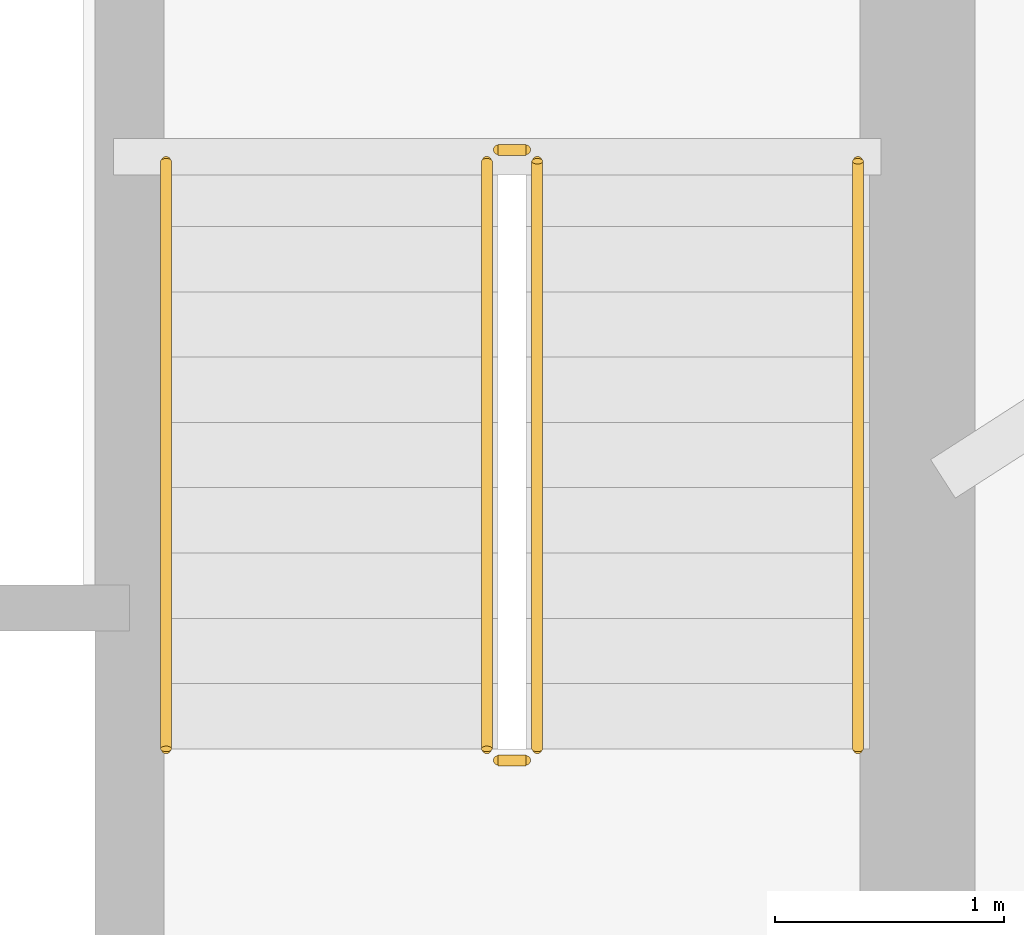
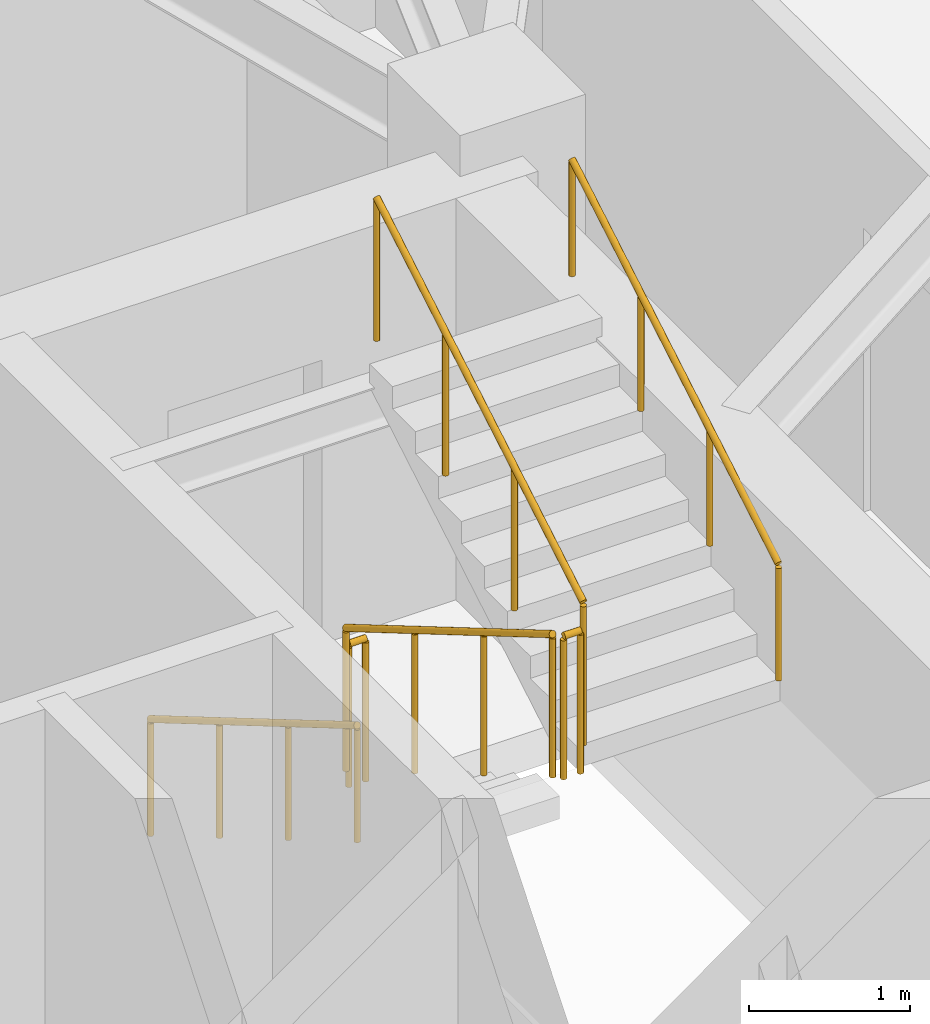
# One storey, part 18 of 19: 6 railings.
"""IFC4 building model written with IfcOpenShell, lengths in metres."""

from ifc_helpers import new_model, si_unit, direction, frame, origin, origin_2d, place, context, subcontext, project, spatial, circle, extrude, material, type_object, element, save


model = new_model("IFC4")

# Units and contexts
model_context = context("Model", 3, precision=1e-05, world=origin(), true_north=direction((0.0, 1.0)))
body_context = subcontext(model_context, "Body", "Model", "MODEL_VIEW")
ifc_project = project(units=[si_unit("LENGTHUNIT", "METRE"), si_unit("AREAUNIT", "SQUARE_METRE"), si_unit("VOLUMEUNIT", "CUBIC_METRE"), si_unit("PLANEANGLEUNIT", "RADIAN"), si_unit("MASSUNIT", "GRAM", prefix="KILO")], contexts=[model_context])

# Site, building, storey
site_placement = place(None, origin())
site = spatial("IfcSite", under=ifc_project, at=site_placement, CompositionType="ELEMENT")
building_placement = place(site_placement, origin())
building = spatial("IfcBuilding", under=site, at=building_placement, Name="Qobustan Lattice House", CompositionType="ELEMENT")
storey_placement = place(building_placement, frame((0.0, 0.0, 131.0)))
storey = spatial("IfcBuildingStorey", under=building, at=storey_placement, Name="L36", CompositionType="ELEMENT", Elevation=131.0)

# Railings
ifc_material_1 = material(Name="Brushed stainless steel handrail", Category="steel")
railing_type_1 = type_object("IfcRailingType", Name="RAL-HR-920", PredefinedType="HANDRAIL", material=ifc_material_1)
railing_1_placement = place(storey_placement, frame((15.179931640625, 3.5, 0.16748046875)))
element("IfcRailing", 1, at=railing_1_placement, inside=storey, type_object=railing_type_1, Name="L36 ST-E1 stair handrail 1", PredefinedType="HANDRAIL", context=body_context, shape_type="SweptSolid", body=[
    extrude(circle(Radius=0.02392578125, at=origin_2d()), frame((0.0, 0.0, 0.8759765625), z_axis=(0.0, -0.862113467892, 0.50671527358), x_axis=(1.0, 0.0, 0.0)), (0.0, 0.0, 1.0), 2.97509765625),
    extrude(circle(Radius=0.02099609375, at=origin_2d()), origin(), (0.0, 0.0, 1.0), 0.851806640625),
    extrude(circle(Radius=0.02099609375, at=origin_2d()), frame((0.0, -0.85498046875, 0.50244140625)), (0.0, 0.0, 1.0), 0.851806640625),
    extrude(circle(Radius=0.02099609375, at=origin_2d()), frame((0.0, -1.7099609375, 1.005126953125)), (0.0, 0.0, 1.0), 0.851806640625),
    extrude(circle(Radius=0.02099609375, at=origin_2d()), frame((0.0, -2.56494140625, 1.507568359375)), (0.0, 0.0, 1.0), 0.851806640625),
])
railing_2_placement = place(storey_placement, frame((18.199951171875, 0.93505859375, 1.842529296875)))
element("IfcRailing", 2, at=railing_2_placement, inside=storey, type_object=railing_type_1, Name="L36 ST-E1 stair handrail 2", PredefinedType="HANDRAIL", context=body_context, shape_type="SweptSolid", body=[
    extrude(circle(Radius=0.02392578125, at=origin_2d()), frame((0.0, 0.0, 0.8759765625), z_axis=(0.0, 0.862113467892, 0.50671527358), x_axis=(-1.0, 0.0, 0.0)), (0.0, 0.0, 1.0), 2.97509765625),
    extrude(circle(Radius=0.02099609375, at=origin_2d()), origin(), (0.0, 0.0, 1.0), 0.851806640625),
    extrude(circle(Radius=0.02099609375, at=origin_2d()), frame((0.0, 0.85498046875, 0.50244140625)), (0.0, 0.0, 1.0), 0.851806640625),
    extrude(circle(Radius=0.02099609375, at=origin_2d()), frame((0.0, 1.7099609375, 1.005126953125)), (0.0, 0.0, 1.0), 0.851806640625),
    extrude(circle(Radius=0.02099609375, at=origin_2d()), frame((0.0, 2.56494140625, 1.507568359375)), (0.0, 0.0, 1.0), 0.851806640625),
])
ifc_material_2 = material(Name="Painted galvanized steel guardrail", Category="steel")
railing_type_2 = type_object("IfcRailingType", Name="RAL-STG-1150", PredefinedType="GUARDRAIL", material=ifc_material_2)
railing_3_placement = place(storey_placement, frame((16.580078125, 3.5, 0.16748046875)))
element("IfcRailing", 3, at=railing_3_placement, inside=storey, type_object=railing_type_2, Name="L36 ST-E1 stair guard 1", PredefinedType="GUARDRAIL", context=body_context, shape_type="SweptSolid", body=[
    extrude(circle(Radius=0.02392578125, at=origin_2d()), frame((0.0, 0.0, 1.076171875), z_axis=(0.0, -0.862113467892, 0.50671527358), x_axis=(1.0, 0.0, 0.0)), (0.0, 0.0, 1.0), 2.97509765625),
    extrude(circle(Radius=0.02099609375, at=origin_2d()), origin(), (0.0, 0.0, 1.0), 1.052001953125),
    extrude(circle(Radius=0.02099609375, at=origin_2d()), frame((0.0, -0.85498046875, 0.50244140625)), (0.0, 0.0, 1.0), 1.052001953125),
    extrude(circle(Radius=0.02099609375, at=origin_2d()), frame((0.0, -1.7099609375, 1.005126953125)), (0.0, 0.0, 1.0), 1.052001953125),
    extrude(circle(Radius=0.02099609375, at=origin_2d()), frame((0.0, -2.56494140625, 1.507568359375)), (0.0, 0.0, 1.0), 1.052001953125),
])
railing_4_placement = place(storey_placement, frame((16.6298828125, 0.885009765625, 1.675048828125)))
element("IfcRailing", 4, at=railing_4_placement, inside=storey, type_object=railing_type_2, Name="L36 ST-E1 stair guard 2", PredefinedType="GUARDRAIL", context=body_context, shape_type="SweptSolid", body=[
    extrude(circle(Radius=0.02392578125, at=origin_2d()), frame((0.0, 0.0, 1.076171875), z_axis=(1.0, 0.0, 0.0), x_axis=(0.0, 1.0, 0.0)), (0.0, 0.0, 1.0), 0.1201171875),
    extrude(circle(Radius=0.02099609375, at=origin_2d()), origin(), (0.0, 0.0, 1.0), 1.052001953125),
    extrude(circle(Radius=0.02099609375, at=origin_2d()), frame((0.1201171875, 0.0, 0.0)), (0.0, 0.0, 1.0), 1.052001953125),
])
railing_5_placement = place(storey_placement, frame((16.800048828125, 0.93505859375, 1.842529296875)))
element("IfcRailing", 5, at=railing_5_placement, inside=storey, type_object=railing_type_2, Name="L36 ST-E1 stair guard 3", PredefinedType="GUARDRAIL", context=body_context, shape_type="SweptSolid", body=[
    extrude(circle(Radius=0.02392578125, at=origin_2d()), frame((0.0, 0.0, 1.076171875), z_axis=(0.0, 0.862113467892, 0.50671527358), x_axis=(-1.0, 0.0, 0.0)), (0.0, 0.0, 1.0), 2.97509765625),
    extrude(circle(Radius=0.02099609375, at=origin_2d()), origin(), (0.0, 0.0, 1.0), 1.052001953125),
    extrude(circle(Radius=0.02099609375, at=origin_2d()), frame((0.0, 0.85498046875, 0.50244140625)), (0.0, 0.0, 1.0), 1.052001953125),
    extrude(circle(Radius=0.02099609375, at=origin_2d()), frame((0.0, 1.7099609375, 1.005126953125)), (0.0, 0.0, 1.0), 1.052001953125),
    extrude(circle(Radius=0.02099609375, at=origin_2d()), frame((0.0, 2.56494140625, 1.507568359375)), (0.0, 0.0, 1.0), 1.052001953125),
])
railing_6_placement = place(storey_placement, frame((16.6298828125, 3.550048828125, 0.0)))
element("IfcRailing", 6, at=railing_6_placement, inside=storey, type_object=railing_type_2, Name="L36 ST-E1 stair guard 4", PredefinedType="GUARDRAIL", context=body_context, shape_type="SweptSolid", body=[
    extrude(circle(Radius=0.02392578125, at=origin_2d()), frame((0.0, 0.0, 1.076171875), z_axis=(1.0, 0.0, 0.0), x_axis=(0.0, 1.0, 0.0)), (0.0, 0.0, 1.0), 0.1201171875),
    extrude(circle(Radius=0.02099609375, at=origin_2d()), origin(), (0.0, 0.0, 1.0), 1.052001953125),
    extrude(circle(Radius=0.02099609375, at=origin_2d()), frame((0.1201171875, 0.0, 0.0)), (0.0, 0.0, 1.0), 1.052001953125),
])

save(model, "model.ifc")
